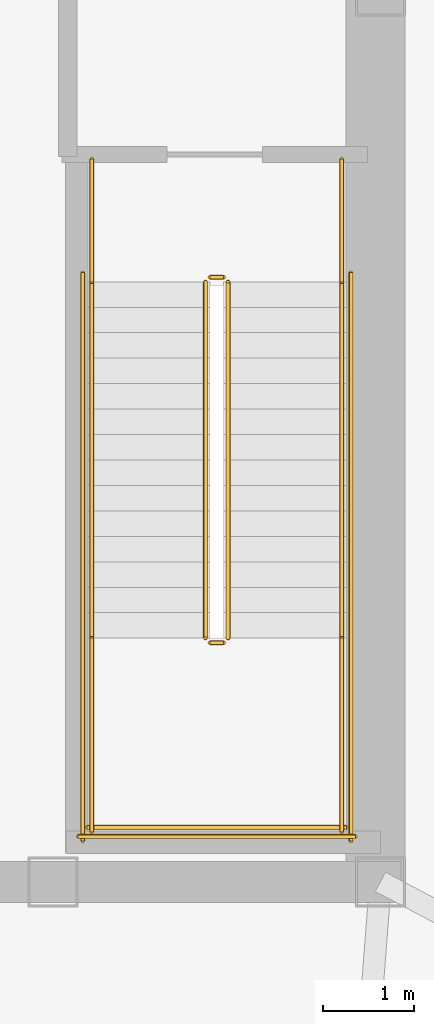
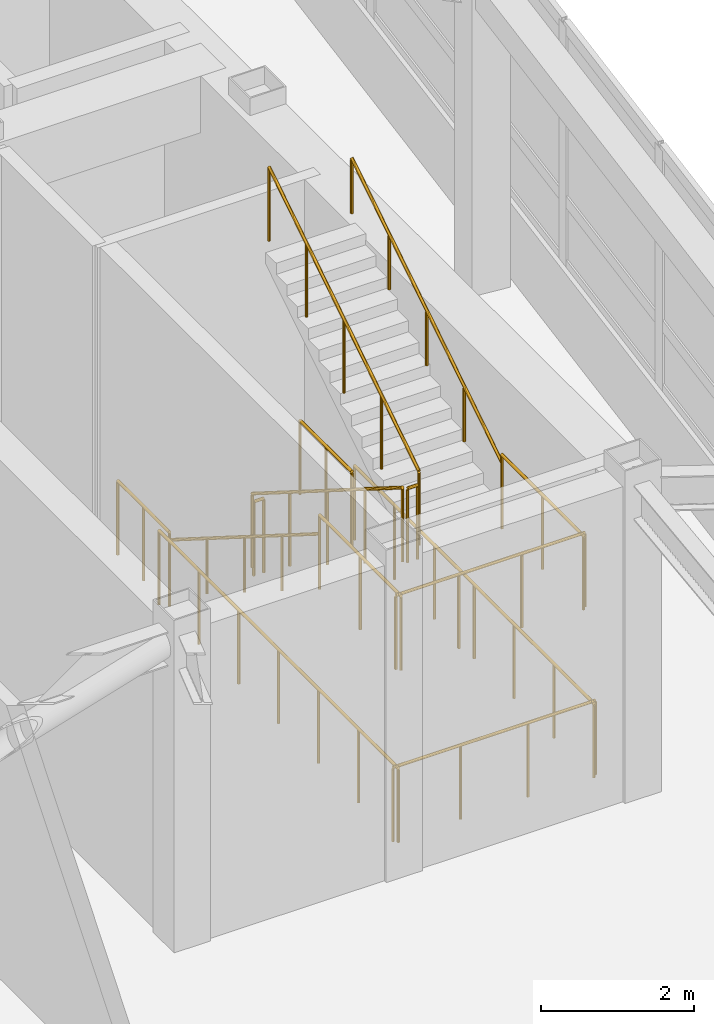
# One storey, part 23 of 23: 14 railings.
"""IFC4 building model written with IfcOpenShell, lengths in metres."""

from ifc_helpers import new_model, si_unit, direction, frame, origin, origin_2d, place, context, subcontext, project, spatial, circle, extrude, material, type_object, element, save


model = new_model("IFC4")

# Units and contexts
model_context = context("Model", 3, precision=1e-05, world=origin(), true_north=direction((0.0, 1.0)))
body_context = subcontext(model_context, "Body", "Model", "MODEL_VIEW")
ifc_project = project(units=[si_unit("LENGTHUNIT", "METRE"), si_unit("AREAUNIT", "SQUARE_METRE"), si_unit("VOLUMEUNIT", "CUBIC_METRE"), si_unit("PLANEANGLEUNIT", "RADIAN"), si_unit("MASSUNIT", "GRAM", prefix="KILO")], contexts=[model_context])

# Site, building, storey
site_placement = place(None, origin())
site = spatial("IfcSite", under=ifc_project, at=site_placement, CompositionType="ELEMENT")
building_placement = place(site_placement, origin())
building = spatial("IfcBuilding", under=site, at=building_placement, Name="Voryun Gate Residences", CompositionType="ELEMENT")
storey_placement = place(building_placement, frame((0.0, 0.0, 326.60009765625)))
storey = spatial("IfcBuildingStorey", under=building, at=storey_placement, Name="L80", CompositionType="ELEMENT", Elevation=326.60009765625)

# Railings
ifc_material_1 = material(Name="Painted steel", Category="steel")
railing_type_1 = type_object("IfcRailingType", Name="RAIL_STAIR_GUARD_1200", PredefinedType="GUARDRAIL", material=ifc_material_1)
railing_1_placement = place(storey_placement, frame((17.27490234375, -0.800048828125, 0.176513671875)))
element("IfcRailing", 1, at=railing_1_placement, inside=storey, type_object=railing_type_1, Name="L80 ST-E1 stair guard 1", PredefinedType="GUARDRAIL", context=body_context, shape_type="SweptSolid", body=[
    extrude(circle(Radius=0.02392578125, at=origin_2d()), frame((0.0, 0.0, 1.17578125), z_axis=(0.0, -0.845717874625, 0.533630280756), x_axis=(1.0, 0.0, 0.0)), (0.0, 0.0, 1.0), 4.635009765625),
    extrude(circle(Radius=0.02099609375, at=origin_2d()), origin(), (0.0, 0.0, 1.0), 1.15185546875),
    extrude(circle(Radius=0.02099609375, at=origin_2d()), frame((0.0, -0.97998046875, 0.618408203125)), (0.0, 0.0, 1.0), 1.15185546875),
    extrude(circle(Radius=0.02099609375, at=origin_2d()), frame((0.0, -1.9599609375, 1.23681640625)), (0.0, 0.0, 1.0), 1.15185546875),
    extrude(circle(Radius=0.02099609375, at=origin_2d()), frame((0.0, -2.93994140625, 1.85498046875)), (0.0, 0.0, 1.0), 1.15185546875),
    extrude(circle(Radius=0.02099609375, at=origin_2d()), frame((0.0, -3.919921875, 2.473388671875)), (0.0, 0.0, 1.0), 1.15185546875),
])
railing_2_placement = place(storey_placement, frame((17.324951171875, -4.77001953125, 2.64990234375)))
element("IfcRailing", 2, at=railing_2_placement, inside=storey, type_object=railing_type_1, Name="L80 ST-E1 stair guard 2", PredefinedType="GUARDRAIL", context=body_context, shape_type="SweptSolid", body=[
    extrude(circle(Radius=0.02392578125, at=origin_2d()), frame((0.0, 0.0, 1.17578125), z_axis=(1.0, 0.0, 0.0), x_axis=(0.0, 1.0, 0.0)), (0.0, 0.0, 1.0), 0.150146484375),
    extrude(circle(Radius=0.02099609375, at=origin_2d()), origin(), (0.0, 0.0, 1.0), 1.15185546875),
    extrude(circle(Radius=0.02099609375, at=origin_2d()), frame((0.150146484375, 0.0, 0.0)), (0.0, 0.0, 1.0), 1.15185546875),
])
for number, where, name in (
    (3, (16.02490234375, -4.719970703125, 2.64990234375), "L80 ST-E1 stair guard 3"),
    (4, (18.77490234375, -4.719970703125, 2.64990234375), "L80 ST-E1 stair guard 4"),
):
    element("IfcRailing", number, at=place(storey_placement, frame(where)), inside=storey, type_object=railing_type_1, Name=name, PredefinedType="GUARDRAIL", context=body_context, shape_type="SweptSolid", body=[
        extrude(circle(Radius=0.02392578125, at=origin_2d()), frame((0.0, 0.0, 1.17578125), z_axis=(0.0, -1.0, 0.0), x_axis=(1.0, 0.0, 0.0)), (0.0, 0.0, 1.0), 2.130126953125),
        extrude(circle(Radius=0.02099609375, at=origin_2d()), origin(), (0.0, 0.0, 1.0), 1.15185546875),
        extrude(circle(Radius=0.02099609375, at=origin_2d()), frame((0.0, -1.06494140625, 0.0)), (0.0, 0.0, 1.0), 1.15185546875),
        extrude(circle(Radius=0.02099609375, at=origin_2d()), frame((0.0, -2.130126953125, 0.0)), (0.0, 0.0, 1.0), 1.15185546875),
    ])
railing_3_placement = place(storey_placement, frame((15.97509765625, -6.800048828125, 2.64990234375)))
element("IfcRailing", 5, at=railing_3_placement, inside=storey, type_object=railing_type_1, Name="L80 ST-E1 stair guard 5", PredefinedType="GUARDRAIL", context=body_context, shape_type="SweptSolid", body=[
    extrude(circle(Radius=0.02392578125, at=origin_2d()), frame((0.0, 0.0, 1.17578125), z_axis=(1.0, 0.0, 0.0), x_axis=(0.0, 1.0, 0.0)), (0.0, 0.0, 1.0), 2.849853515625),
    extrude(circle(Radius=0.02099609375, at=origin_2d()), origin(), (0.0, 0.0, 1.0), 1.15185546875),
    extrude(circle(Radius=0.02099609375, at=origin_2d()), frame((0.949951171875, 0.0, 0.0)), (0.0, 0.0, 1.0), 1.15185546875),
    extrude(circle(Radius=0.02099609375, at=origin_2d()), frame((1.89990234375, 0.0, 0.0)), (0.0, 0.0, 1.0), 1.15185546875),
    extrude(circle(Radius=0.02099609375, at=origin_2d()), frame((2.849853515625, 0.0, 0.0)), (0.0, 0.0, 1.0), 1.15185546875),
])
railing_4_placement = place(storey_placement, frame((17.52490234375, -4.719970703125, 2.82666015625)))
element("IfcRailing", 6, at=railing_4_placement, inside=storey, type_object=railing_type_1, Name="L80 ST-E1 stair guard 6", PredefinedType="GUARDRAIL", context=body_context, shape_type="SweptSolid", body=[
    extrude(circle(Radius=0.02392578125, at=origin_2d()), frame((0.0, 0.0, 1.17578125), z_axis=(0.0, 0.845741645819, 0.53359260539), x_axis=(-1.0, 0.0, 0.0)), (0.0, 0.0, 1.0), 4.635009765625),
    extrude(circle(Radius=0.02099609375, at=origin_2d()), origin(), (0.0, 0.0, 1.0), 1.15185546875),
    extrude(circle(Radius=0.02099609375, at=origin_2d()), frame((0.0, 0.97998046875, 0.6181640625)), (0.0, 0.0, 1.0), 1.15185546875),
    extrude(circle(Radius=0.02099609375, at=origin_2d()), frame((0.0, 1.9599609375, 1.236572265625)), (0.0, 0.0, 1.0), 1.15185546875),
    extrude(circle(Radius=0.02099609375, at=origin_2d()), frame((0.0, 2.93994140625, 1.85498046875)), (0.0, 0.0, 1.0), 1.15185546875),
    extrude(circle(Radius=0.02099609375, at=origin_2d()), frame((0.0, 3.919921875, 2.47314453125)), (0.0, 0.0, 1.0), 1.15185546875),
])
railing_5_placement = place(storey_placement, frame((17.324951171875, -0.75, 0.0)))
element("IfcRailing", 7, at=railing_5_placement, inside=storey, type_object=railing_type_1, Name="L80 ST-E1 stair guard 7", PredefinedType="GUARDRAIL", context=body_context, shape_type="SweptSolid", body=[
    extrude(circle(Radius=0.02392578125, at=origin_2d()), frame((0.0, 0.0, 1.17578125), z_axis=(1.0, 0.0, 0.0), x_axis=(0.0, 1.0, 0.0)), (0.0, 0.0, 1.0), 0.150146484375),
    extrude(circle(Radius=0.02099609375, at=origin_2d()), origin(), (0.0, 0.0, 1.0), 1.15185546875),
    extrude(circle(Radius=0.02099609375, at=origin_2d()), frame((0.150146484375, 0.0, 0.0)), (0.0, 0.0, 1.0), 1.15185546875),
])
for number, where, name in (
    (8, (16.02490234375, 0.550048828125, 0.0), "L80 ST-E1 stair guard 8"),
    (9, (18.77490234375, 0.550048828125, 0.0), "L80 ST-E1 stair guard 9"),
):
    element("IfcRailing", number, at=place(storey_placement, frame(where)), inside=storey, type_object=railing_type_1, Name=name, PredefinedType="GUARDRAIL", context=body_context, shape_type="SweptSolid", body=[
        extrude(circle(Radius=0.02392578125, at=origin_2d()), frame((0.0, 0.0, 1.17578125), z_axis=(0.0, -1.0, 0.0), x_axis=(1.0, 0.0, 0.0)), (0.0, 0.0, 1.0), 1.35009765625),
        extrude(circle(Radius=0.02099609375, at=origin_2d()), origin(), (0.0, 0.0, 1.0), 1.15185546875),
        extrude(circle(Radius=0.02099609375, at=origin_2d()), frame((0.0, -0.675048828125, 0.0)), (0.0, 0.0, 1.0), 1.15185546875),
        extrude(circle(Radius=0.02099609375, at=origin_2d()), frame((0.0, -1.35009765625, 0.0)), (0.0, 0.0, 1.0), 1.15185546875),
    ])
for number, where, name in (
    (10, (15.925048828125, -0.699951171875, 0.0), "L80 ST-E1 stair guard 10"),
    (11, (18.875, -0.699951171875, 0.0), "L80 ST-E1 stair guard 11"),
):
    element("IfcRailing", number, at=place(storey_placement, frame(where)), inside=storey, type_object=railing_type_1, Name=name, PredefinedType="GUARDRAIL", context=body_context, shape_type="SweptSolid", body=[
        extrude(circle(Radius=0.02392578125, at=origin_2d()), frame((0.0, 0.0, 1.17578125), z_axis=(0.0, -1.0, 0.0), x_axis=(1.0, 0.0, 0.0)), (0.0, 0.0, 1.0), 6.25),
        extrude(circle(Radius=0.02099609375, at=origin_2d()), origin(), (0.0, 0.0, 1.0), 1.15185546875),
        extrude(circle(Radius=0.02099609375, at=origin_2d()), frame((0.0, -1.041748046875, 0.0)), (0.0, 0.0, 1.0), 1.15185546875),
        extrude(circle(Radius=0.02099609375, at=origin_2d()), frame((0.0, -2.083251953125, 0.0)), (0.0, 0.0, 1.0), 1.15185546875),
        extrude(circle(Radius=0.02099609375, at=origin_2d()), frame((0.0, -3.125, 0.0)), (0.0, 0.0, 1.0), 1.15185546875),
        extrude(circle(Radius=0.02099609375, at=origin_2d()), frame((0.0, -4.166748046875, 0.0)), (0.0, 0.0, 1.0), 1.15185546875),
        extrude(circle(Radius=0.02099609375, at=origin_2d()), frame((0.0, -5.208251953125, 0.0)), (0.0, 0.0, 1.0), 1.15185546875),
        extrude(circle(Radius=0.02099609375, at=origin_2d()), frame((0.0, -6.25, 0.0)), (0.0, 0.0, 1.0), 1.15185546875),
    ])
railing_6_placement = place(storey_placement, frame((15.875, -6.89990234375, 0.0)))
element("IfcRailing", 12, at=railing_6_placement, inside=storey, type_object=railing_type_1, Name="L80 ST-E1 stair guard 12", PredefinedType="GUARDRAIL", context=body_context, shape_type="SweptSolid", body=[
    extrude(circle(Radius=0.02392578125, at=origin_2d()), frame((0.0, 0.0, 1.17578125), z_axis=(1.0, 0.0, 0.0), x_axis=(0.0, 1.0, 0.0)), (0.0, 0.0, 1.0), 3.050048828125),
    extrude(circle(Radius=0.02099609375, at=origin_2d()), origin(), (0.0, 0.0, 1.0), 1.15185546875),
    extrude(circle(Radius=0.02099609375, at=origin_2d()), frame((1.0166015625, 0.0, 0.0)), (0.0, 0.0, 1.0), 1.15185546875),
    extrude(circle(Radius=0.02099609375, at=origin_2d()), frame((2.033447265625, 0.0, 0.0)), (0.0, 0.0, 1.0), 1.15185546875),
    extrude(circle(Radius=0.02099609375, at=origin_2d()), frame((3.050048828125, 0.0, 0.0)), (0.0, 0.0, 1.0), 1.15185546875),
])
ifc_material_2 = material(Name="Painted steel", Category="steel")
railing_type_2 = type_object("IfcRailingType", Name="RAIL_STAIR_HANDRAIL_900", PredefinedType="HANDRAIL", material=ifc_material_2)
railing_7_placement = place(storey_placement, frame((16.02490234375, -0.800048828125, 0.176513671875)))
element("IfcRailing", 13, at=railing_7_placement, inside=storey, type_object=railing_type_2, Name="L80 ST-E1 stair handrail 1", PredefinedType="HANDRAIL", context=body_context, shape_type="SweptSolid", body=[
    extrude(circle(Radius=0.02392578125, at=origin_2d()), frame((0.0, 0.0, 0.8759765625), z_axis=(0.0, -0.845717874625, 0.533630280756), x_axis=(1.0, 0.0, 0.0)), (0.0, 0.0, 1.0), 4.635009765625),
    extrude(circle(Radius=0.02099609375, at=origin_2d()), origin(), (0.0, 0.0, 1.0), 0.851806640625),
    extrude(circle(Radius=0.02099609375, at=origin_2d()), frame((0.0, -0.97998046875, 0.618408203125)), (0.0, 0.0, 1.0), 0.851806640625),
    extrude(circle(Radius=0.02099609375, at=origin_2d()), frame((0.0, -1.9599609375, 1.23681640625)), (0.0, 0.0, 1.0), 0.851806640625),
    extrude(circle(Radius=0.02099609375, at=origin_2d()), frame((0.0, -2.93994140625, 1.85498046875)), (0.0, 0.0, 1.0), 0.851806640625),
    extrude(circle(Radius=0.02099609375, at=origin_2d()), frame((0.0, -3.919921875, 2.473388671875)), (0.0, 0.0, 1.0), 0.851806640625),
])
railing_8_placement = place(storey_placement, frame((18.77490234375, -4.719970703125, 2.82666015625)))
element("IfcRailing", 14, at=railing_8_placement, inside=storey, type_object=railing_type_2, Name="L80 ST-E1 stair handrail 2", PredefinedType="HANDRAIL", context=body_context, shape_type="SweptSolid", body=[
    extrude(circle(Radius=0.02392578125, at=origin_2d()), frame((0.0, 0.0, 0.8759765625), z_axis=(0.0, 0.845741645819, 0.53359260539), x_axis=(-1.0, 0.0, 0.0)), (0.0, 0.0, 1.0), 4.635009765625),
    extrude(circle(Radius=0.02099609375, at=origin_2d()), origin(), (0.0, 0.0, 1.0), 0.851806640625),
    extrude(circle(Radius=0.02099609375, at=origin_2d()), frame((0.0, 0.97998046875, 0.6181640625)), (0.0, 0.0, 1.0), 0.851806640625),
    extrude(circle(Radius=0.02099609375, at=origin_2d()), frame((0.0, 1.9599609375, 1.236572265625)), (0.0, 0.0, 1.0), 0.851806640625),
    extrude(circle(Radius=0.02099609375, at=origin_2d()), frame((0.0, 2.93994140625, 1.85498046875)), (0.0, 0.0, 1.0), 0.851806640625),
    extrude(circle(Radius=0.02099609375, at=origin_2d()), frame((0.0, 3.919921875, 2.47314453125)), (0.0, 0.0, 1.0), 0.851806640625),
])

save(model, "model.ifc")
